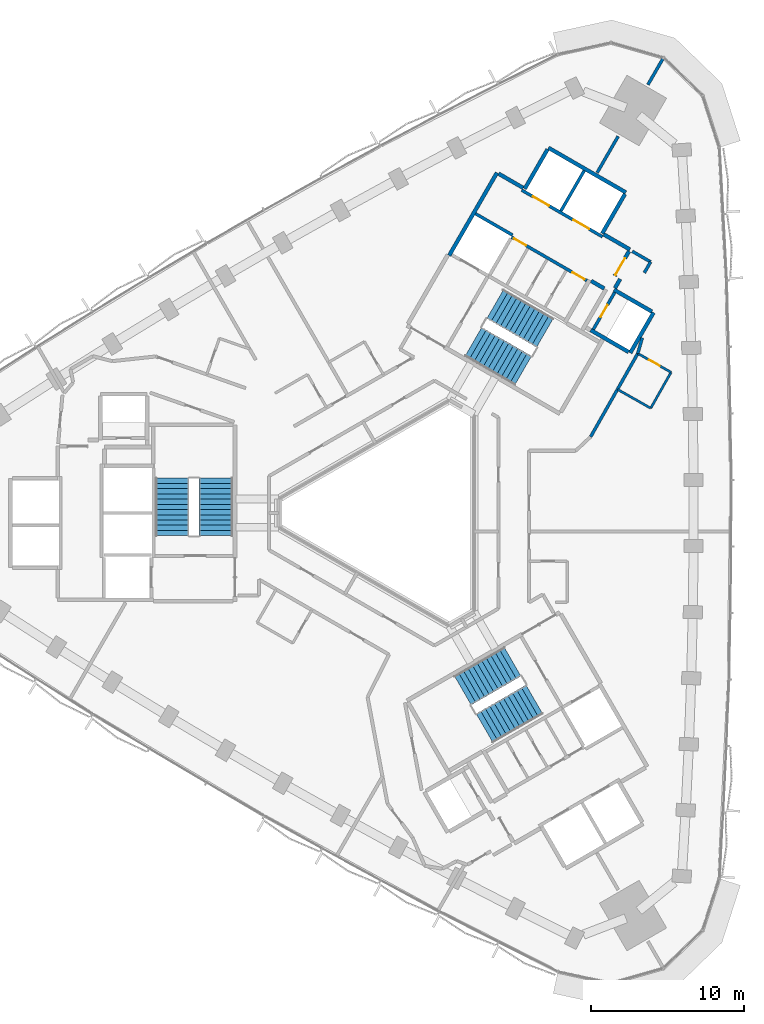
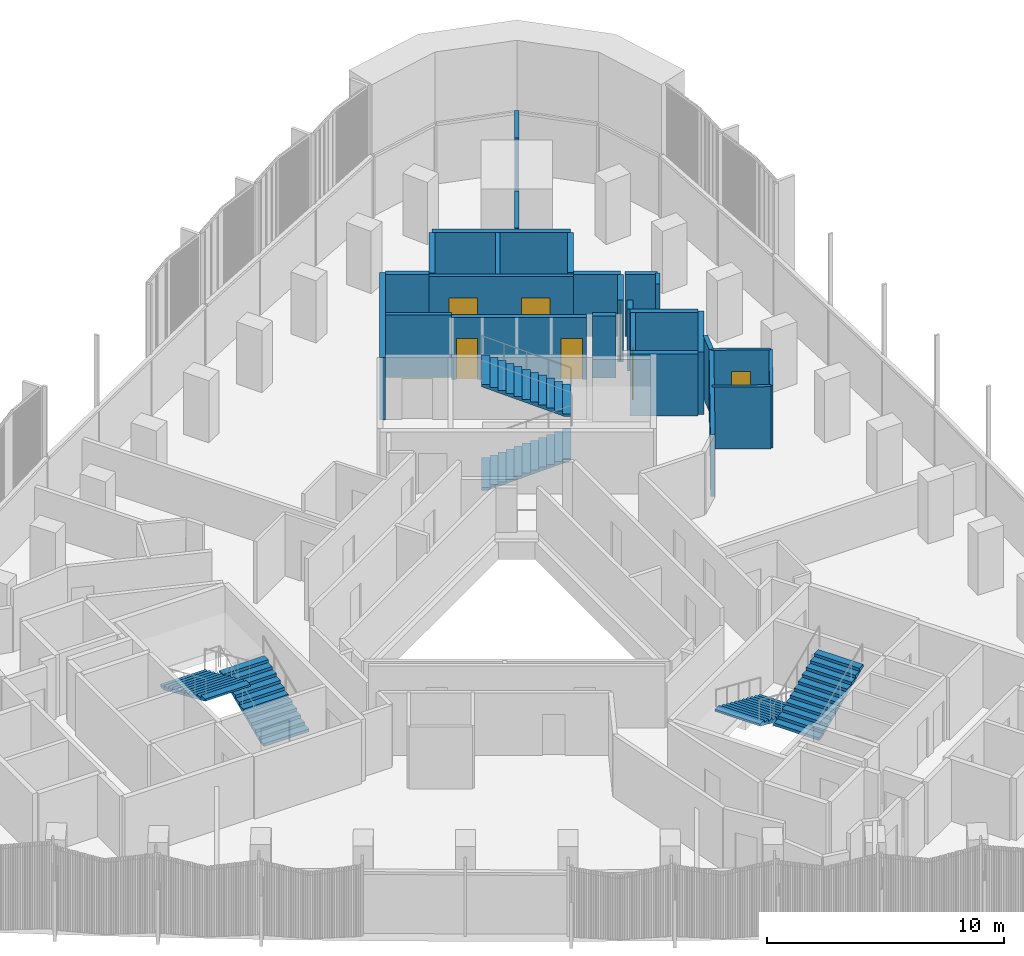
# One storey, part 11 of 14: 26 walls, 7 doors, 6 stair flights, 7 openings, 3 elements without a shape of their own.
"""IFC4 building model written with IfcOpenShell, lengths in metres."""

from ifc_helpers import new_model, si_unit, direction, frame, frame_2d, origin, place, context, subcontext, project, spatial, polyline, rectangle, outline, extrude, material, layer, layer_set, type_object, element, fill, aggregate, save


model = new_model("IFC4")

# Units and contexts
model_context = context("Model", 3, precision=1e-05, world=origin(), true_north=direction((0.0, 1.0)))
body_context = subcontext(model_context, "Body", "Model", "MODEL_VIEW")
ifc_project = project(units=[si_unit("LENGTHUNIT", "METRE"), si_unit("AREAUNIT", "SQUARE_METRE"), si_unit("VOLUMEUNIT", "CUBIC_METRE"), si_unit("PLANEANGLEUNIT", "RADIAN"), si_unit("MASSUNIT", "GRAM", prefix="KILO")], contexts=[model_context])

# Site, building, storey
site_placement = place(None, origin())
site = spatial("IfcSite", under=ifc_project, at=site_placement, CompositionType="ELEMENT")
building_placement = place(site_placement, origin())
building = spatial("IfcBuilding", under=site, at=building_placement, Name="Tamra Quay Hotel Tower", CompositionType="ELEMENT")
storey_placement = place(building_placement, frame((0.0, 0.0, 150.39990234375)))
storey = spatial("IfcBuildingStorey", under=building, at=storey_placement, Name="L37", CompositionType="ELEMENT", Elevation=150.39990234375)

# Wall, openings, doors
ifc_material_1 = material(Name="Concrete M70", Category="concrete")
ifc_layer_1 = layer(ifc_material_1, 0.199951171875)
ifc_layer_set_1 = layer_set([ifc_layer_1], Name="Concrete M70 core wall 200")
wall_type_1 = type_object("IfcWallType", Name="Concrete M70 core wall 200", PredefinedType="SHEAR", material=ifc_layer_set_1)
wall_1_placement = place(storey_placement, frame((13.209716796875, 18.07958984375, 0.0), z_axis=(0.0, 0.0, 1.0), x_axis=(-0.866030299012, 0.499991521122, 0.0)))
wall_1 = element("IfcWall", 1, at=wall_1_placement, inside=storey, type_object=wall_type_1, Name="CW2", PredefinedType="SHEAR", context=body_context, shape_type="SweptSolid", body=[
    extrude(rectangle(XDim=6.10009765625, YDim=0.199951171875, at=frame_2d((3.050048828125, 0.0))), origin(), (0.0, 0.0, 1.0), 3.2001953125),
])
opening_1_placement = place(wall_1_placement, frame((1.0, 0.0, 0.0)))
opening_1 = element("IfcOpeningElement", 2, at=opening_1_placement, cuts=wall_1, Name="Opening LD", PredefinedType="OPENING", context=body_context, shape_type="SweptSolid", body=[
    extrude(rectangle(XDim=1.199951171875, YDim=2.10009765625, at=frame_2d((0.60009765625, 1.050048828125))), frame((0.0, 0.10986328125, 0.0), z_axis=(0.0, -1.0, 0.0), x_axis=(1.0, 0.0, 0.0)), (0.0, 0.0, 1.0), 0.219970703125),
])
opening_2_placement = place(wall_1_placement, frame((4.05029296875, 0.0, 0.0)))
opening_2 = element("IfcOpeningElement", 3, at=opening_2_placement, cuts=wall_1, Name="Opening LD", PredefinedType="OPENING", context=body_context, shape_type="SweptSolid", body=[
    extrude(rectangle(XDim=1.199951171875, YDim=2.10009765625, at=frame_2d((0.60009765625, 1.050048828125))), frame((0.0, 0.10986328125, 0.0), z_axis=(0.0, -1.0, 0.0), x_axis=(1.0, 0.0, 0.0)), (0.0, 0.0, 1.0), 0.219970703125),
])
ifc_material_2 = material(Name="Landing door LD 1200 double door sliding")
door_type_1 = type_object("IfcDoorType", Name="Landing door LD 1200 double door sliding", OperationType="DOUBLE_DOOR_SLIDING", PredefinedType="DOOR", material=ifc_material_2)
door_1_placement = place(opening_1_placement, origin())
door_1 = element("IfcDoor", 4, at=door_1_placement, inside=storey, type_object=door_type_1, Name="LD", OperationType="DOUBLE_DOOR_SLIDING", OverallHeight=2.10009765625, OverallWidth=1.199951171875, PredefinedType="DOOR", context=body_context, shape_type="SweptSolid", body=[
    extrude(rectangle(XDim=1.199951171875, YDim=2.10009765625, at=frame_2d((0.60009765625, 1.050048828125))), frame((0.0, 0.02490234375, 0.0), z_axis=(0.0, -1.0, 0.0), x_axis=(1.0, 0.0, 0.0)), (0.0, 0.0, 1.0), 0.050048828125),
])
fill(opening_1, door_1)
door_2_placement = place(opening_2_placement, origin())
door_2 = element("IfcDoor", 5, at=door_2_placement, inside=storey, type_object=door_type_1, Name="LD", OperationType="DOUBLE_DOOR_SLIDING", OverallHeight=2.10009765625, OverallWidth=1.199951171875, PredefinedType="DOOR", context=body_context, shape_type="SweptSolid", body=[
    extrude(rectangle(XDim=1.199951171875, YDim=2.10009765625, at=frame_2d((0.60009765625, 1.050048828125))), frame((0.0, 0.02490234375, 0.0), z_axis=(0.0, -1.0, 0.0), x_axis=(1.0, 0.0, 0.0)), (0.0, 0.0, 1.0), 0.050048828125),
])
fill(opening_2, door_2)

wall_2_placement = place(storey_placement, frame((12.18505859375, 15.20703125, 0.0), z_axis=(0.0, 0.0, 1.0), x_axis=(-0.866020080793, 0.500009219579, 0.0)))
wall_2 = element("IfcWall", 6, at=wall_2_placement, inside=storey, type_object=wall_type_1, Name="CW2", PredefinedType="SHEAR", context=body_context, shape_type="SweptSolid", body=[
    extrude(rectangle(XDim=5.69921875, YDim=0.199951171875, at=frame_2d((2.849609375, 0.0))), origin(), (0.0, 0.0, 1.0), 3.2001953125),
])
opening_3_placement = place(wall_2_placement, frame((0.174072265625, 0.0, 0.0)))
opening_3 = element("IfcOpeningElement", 7, at=opening_3_placement, cuts=wall_2, Name="Opening D2", PredefinedType="OPENING", context=body_context, shape_type="SweptSolid", body=[
    extrude(rectangle(XDim=0.89990234375, YDim=2.10009765625, at=frame_2d((0.449951171875, 1.050048828125))), frame((0.0, 0.10986328125, 0.0), z_axis=(0.0, -1.0, 0.0), x_axis=(1.0, 0.0, 0.0)), (0.0, 0.0, 1.0), 0.219970703125),
])
opening_4_placement = place(wall_2_placement, frame((4.59912109375, 0.0, 0.0)))
opening_4 = element("IfcOpeningElement", 8, at=opening_4_placement, cuts=wall_2, Name="Opening D2", PredefinedType="OPENING", context=body_context, shape_type="SweptSolid", body=[
    extrude(rectangle(XDim=0.89990234375, YDim=2.10009765625, at=frame_2d((0.449951171875, 1.050048828125))), frame((0.0, 0.10986328125, 0.0), z_axis=(0.0, -1.0, 0.0), x_axis=(1.0, 0.0, 0.0)), (0.0, 0.0, 1.0), 0.219970703125),
])
ifc_material_3 = material(Name="Core door D2 900x2100 LH")
door_type_2 = type_object("IfcDoorType", Name="Core door D2 900x2100 LH", OperationType="NOTDEFINED", PredefinedType="DOOR", material=ifc_material_3)
door_3_placement = place(opening_4_placement, origin())
door_3 = element("IfcDoor", 9, at=door_3_placement, inside=storey, type_object=door_type_2, Name="D2", OperationType="SINGLE_SWING_LEFT", OverallHeight=2.10009765625, OverallWidth=0.89990234375, PredefinedType="DOOR", context=body_context, shape_type="SweptSolid", body=[
    extrude(rectangle(XDim=0.89990234375, YDim=2.10009765625, at=frame_2d((0.449951171875, 1.050048828125))), frame((0.0, 0.02490234375, 0.0), z_axis=(0.0, -1.0, 0.0), x_axis=(1.0, 0.0, 0.0)), (0.0, 0.0, 1.0), 0.050048828125),
])
fill(opening_4, door_3)
ifc_material_4 = material(Name="Core door D2 900x2100 RH")
door_type_3 = type_object("IfcDoorType", Name="Core door D2 900x2100 RH", OperationType="NOTDEFINED", PredefinedType="DOOR", material=ifc_material_4)
door_4_placement = place(opening_3_placement, origin())
door_4 = element("IfcDoor", 10, at=door_4_placement, inside=storey, type_object=door_type_3, Name="D2", OperationType="SINGLE_SWING_RIGHT", OverallHeight=2.10009765625, OverallWidth=0.89990234375, PredefinedType="DOOR", context=body_context, shape_type="SweptSolid", body=[
    extrude(rectangle(XDim=0.89990234375, YDim=2.10009765625, at=frame_2d((0.449951171875, 1.050048828125))), frame((0.0, 0.02490234375, 0.0), z_axis=(0.0, -1.0, 0.0), x_axis=(1.0, 0.0, 0.0)), (0.0, 0.0, 1.0), 0.050048828125),
])
fill(opening_3, door_4)

# Wall
wall_3_placement = place(storey_placement, frame((10.48876953125, 19.76708984375, 0.0), z_axis=(0.0, 0.0, 1.0), x_axis=(0.499946628782, 0.866056215479, 0.0)))
element("IfcWall", 11, at=wall_3_placement, inside=storey, type_object=wall_type_1, Name="CW2", PredefinedType="SHEAR", context=body_context, shape_type="SweptSolid", body=[
    extrude(rectangle(XDim=3.048095703125, YDim=0.199951171875, at=frame_2d((1.52392578125, 0.0))), origin(), (0.0, 0.0, 1.0), 3.2001953125),
])

# Wall, opening, door
wall_4_placement = place(storey_placement, frame((14.0078125, 14.442138671875, 0.0), z_axis=(0.0, 0.0, 1.0), x_axis=(-0.499986818241, -0.866033014143, 0.0)))
wall_4 = element("IfcWall", 12, at=wall_4_placement, inside=storey, type_object=wall_type_1, Name="CW2", PredefinedType="SHEAR", context=body_context, shape_type="SweptSolid", body=[
    extrude(rectangle(XDim=2.7978515625, YDim=0.199951171875, at=frame_2d((1.39892578125, 0.0))), origin(), (0.0, 0.0, 1.0), 3.2001953125),
])
opening_5_placement = place(wall_4_placement, frame((0.948974609375, 0.0, 0.0)))
opening_5 = element("IfcOpeningElement", 13, at=opening_5_placement, cuts=wall_4, Name="Opening D1", PredefinedType="OPENING", context=body_context, shape_type="SweptSolid", body=[
    extrude(rectangle(XDim=0.89990234375, YDim=2.10009765625, at=frame_2d((0.449951171875, 1.050048828125))), frame((0.0, 0.10986328125, 0.0), z_axis=(0.0, -1.0, 0.0), x_axis=(1.0, 0.0, 0.0)), (0.0, 0.0, 1.0), 0.219970703125),
])
ifc_material_5 = material(Name="Core door D1 900x2100 RH")
door_type_4 = type_object("IfcDoorType", Name="Core door D1 900x2100 RH", OperationType="NOTDEFINED", PredefinedType="DOOR", material=ifc_material_5)
door_5_placement = place(opening_5_placement, origin())
door_5 = element("IfcDoor", 14, at=door_5_placement, inside=storey, type_object=door_type_4, Name="D1", OperationType="SINGLE_SWING_RIGHT", OverallHeight=2.10009765625, OverallWidth=0.89990234375, PredefinedType="DOOR", context=body_context, shape_type="SweptSolid", body=[
    extrude(rectangle(XDim=0.89990234375, YDim=2.10009765625, at=frame_2d((0.449951171875, 1.050048828125))), frame((0.0, 0.02490234375, 0.0), z_axis=(0.0, -1.0, 0.0), x_axis=(1.0, 0.0, 0.0)), (0.0, 0.0, 1.0), 0.050048828125),
])
fill(opening_5, door_5)

# Walls
wall_5_placement = place(storey_placement, frame((4.900634765625, 19.5859375, 0.0), z_axis=(0.0, 0.0, 1.0), x_axis=(0.866022890907, -0.500004352405, 0.0)))
element("IfcWall", 15, at=wall_5_placement, inside=storey, type_object=wall_type_1, Name="CW2", PredefinedType="SHEAR", context=body_context, shape_type="SweptSolid", body=[
    extrude(rectangle(XDim=2.798828125, YDim=0.199951171875, at=frame_2d((1.3994140625, 0.0))), origin(), (0.0, 0.0, 1.0), 3.2001953125),
])
ifc_layer_2 = layer(ifc_material_1, 0.25)
ifc_layer_set_2 = layer_set([ifc_layer_2], Name="Concrete M70 core wall 250")
wall_type_2 = type_object("IfcWallType", Name="Concrete M70 core wall 250", PredefinedType="SHEAR", material=ifc_layer_set_2)
wall_6_placement = place(storey_placement, frame((3.178955078125, 16.856201171875, 0.0), z_axis=(0.0, 0.0, 1.0), x_axis=(0.500004234368, 0.866022959057, 0.0)))
element("IfcWall", 16, at=wall_6_placement, inside=storey, type_object=wall_type_2, Name="CW1", PredefinedType="SHEAR", context=body_context, shape_type="SweptSolid", body=[
    extrude(rectangle(XDim=6.25, YDim=0.25, at=frame_2d((3.125, 0.0))), origin(), (0.0, 0.0, 1.0), 3.2001953125),
])
wall_7_placement = place(storey_placement, frame((9.672607421875, 23.9033203125, 0.0), z_axis=(0.0, 0.0, 1.0), x_axis=(0.86603616409, -0.499981362141, 0.0)))
element("IfcWall", 17, at=wall_7_placement, inside=storey, type_object=wall_type_2, Name="CW1", PredefinedType="SHEAR", context=body_context, shape_type="SweptSolid", body=[
    extrude(rectangle(XDim=5.849853515625, YDim=0.25, at=frame_2d((2.9248046875, 0.0))), origin(), (0.0, 0.0, 1.0), 3.2001953125),
])
for number, where, z_axis, x_axis, name in (
    (18, (8.12255859375, 21.21875, 0.0), (0.0, 0.0, 1.0), (0.499987686533, 0.866032512851, 0.0), "CW1"),
    (19, (14.67626953125, 20.869873046875, 0.0), (0.0, 0.0, 1.0), (-0.499987686533, -0.866032512851, 0.0), "CW1"),
):
    element("IfcWall", number, at=place(storey_placement, frame(where, z_axis=z_axis, x_axis=x_axis)), inside=storey, type_object=wall_type_2, Name=name, PredefinedType="SHEAR", context=body_context, shape_type="SweptSolid", body=[
        extrude(rectangle(XDim=2.974609375, YDim=0.25, at=frame_2d((1.4873046875, 0.0))), origin(), (0.0, 0.0, 1.0), 3.2001953125),
    ])
wall_8_placement = place(storey_placement, frame((16.552001953125, 13.118896484375, 0.0), z_axis=(0.0, 0.0, 1.0), x_axis=(-0.499978833458, -0.866037623948, 0.0)))
element("IfcWall", 20, at=wall_8_placement, inside=storey, type_object=wall_type_2, Name="CW1", PredefinedType="SHEAR", context=body_context, shape_type="SweptSolid", body=[
    extrude(rectangle(XDim=3.050048828125, YDim=0.25, at=frame_2d((1.52490234375, 0.0))), origin(), (0.0, 0.0, 1.0), 3.2001953125),
])
wall_9_placement = place(storey_placement, frame((14.91845703125, 10.540283203125, 0.0), z_axis=(0.0, 0.0, 1.0), x_axis=(-0.866063538972, 0.499933942099, 0.0)))
element("IfcWall", 21, at=wall_9_placement, inside=storey, type_object=wall_type_2, Name="CW1", PredefinedType="SHEAR", context=body_context, shape_type="SweptSolid", body=[
    extrude(rectangle(XDim=2.86474609375, YDim=0.25, at=frame_2d((1.432373046875, 0.0))), origin(), (0.0, 0.0, 1.0), 3.2001953125),
])
wall_10_placement = place(storey_placement, frame((13.962646484375, 14.61376953125, 0.0), z_axis=(0.0, 0.0, 1.0), x_axis=(0.866042235819, -0.499970844928, 0.0)))
element("IfcWall", 22, at=wall_10_placement, inside=storey, type_object=wall_type_2, Name="CW1", PredefinedType="SHEAR", context=body_context, shape_type="SweptSolid", body=[
    extrude(rectangle(XDim=2.864501953125, YDim=0.25, at=frame_2d((1.43212890625, 0.0))), origin(), (0.0, 0.0, 1.0), 3.2001953125),
])
wall_11_placement = place(storey_placement, frame((13.29736328125, 18.23095703125, 0.0), z_axis=(0.0, 0.0, 1.0), x_axis=(0.866043531843, -0.499968599967, 0.0)))
element("IfcWall", 23, at=wall_11_placement, inside=storey, type_object=wall_type_2, Name="CW1", PredefinedType="SHEAR", context=body_context, shape_type="SweptSolid", body=[
    extrude(rectangle(XDim=1.974853515625, YDim=0.25, at=frame_2d((0.9873046875, 0.0))), origin(), (0.0, 0.0, 1.0), 3.2001953125),
])
wall_12_placement = place(storey_placement, frame((6.41259765625, 22.2060546875, 0.0), z_axis=(0.0, 0.0, 1.0), x_axis=(0.866016279763, -0.500015802937, 0.0)))
element("IfcWall", 24, at=wall_12_placement, inside=storey, type_object=wall_type_2, Name="CW1", PredefinedType="SHEAR", context=body_context, shape_type="SweptSolid", body=[
    extrude(rectangle(XDim=1.84912109375, YDim=0.25, at=frame_2d((0.924560546875, 0.0))), origin(), (0.0, 0.0, 1.0), 3.2001953125),
])

# Wall, opening, door
wall_13_placement = place(storey_placement, frame((14.94482421875, 17.13525390625, 0.0), z_axis=(0.0, 0.0, 1.0), x_axis=(-0.499983108224, -0.866035156036, 0.0)))
wall_13 = element("IfcWall", 25, at=wall_13_placement, inside=storey, type_object=wall_type_2, Name="CW1", PredefinedType="SHEAR", context=body_context, shape_type="SweptSolid", body=[
    extrude(rectangle(XDim=1.86474609375, YDim=0.25, at=frame_2d((0.932373046875, 0.0))), origin(), (0.0, 0.0, 1.0), 3.2001953125),
])
opening_6_placement = place(wall_13_placement, frame((0.53466796875, 0.0, 0.0)))
opening_6 = element("IfcOpeningElement", 26, at=opening_6_placement, cuts=wall_13, Name="Opening FD3", PredefinedType="OPENING", context=body_context, shape_type="SweptSolid", body=[
    extrude(rectangle(XDim=1.25, YDim=2.10009765625, at=frame_2d((0.625, 1.050048828125))), frame((0.0, 0.135009765625, 0.0), z_axis=(0.0, -1.0, 0.0), x_axis=(1.0, 0.0, 0.0)), (0.0, 0.0, 1.0), 0.27001953125),
])
ifc_material_6 = material(Name="Core door FD3 1250x2100 LH")
door_type_5 = type_object("IfcDoorType", Name="Core door FD3 1250x2100 LH", OperationType="NOTDEFINED", PredefinedType="DOOR", material=ifc_material_6)
door_6_placement = place(opening_6_placement, origin())
door_6 = element("IfcDoor", 27, at=door_6_placement, inside=storey, type_object=door_type_5, Name="FD3", OperationType="SINGLE_SWING_LEFT", OverallHeight=2.10009765625, OverallWidth=1.25, PredefinedType="DOOR", context=body_context, shape_type="SweptSolid", body=[
    extrude(rectangle(XDim=1.25, YDim=2.10009765625, at=frame_2d((0.625, 1.050048828125))), frame((0.0, 0.02490234375, 0.0), z_axis=(0.0, -1.0, 0.0), x_axis=(1.0, 0.0, 0.0)), (0.0, 0.0, 1.0), 0.050048828125),
])
fill(opening_6, door_6)

# Walls
wall_14_placement = place(storey_placement, frame((13.322021484375, 14.695068359375, 0.0), z_axis=(0.0, 0.0, 1.0), x_axis=(-0.866017078145, 0.500014420154, 0.0)))
element("IfcWall", 28, at=wall_14_placement, inside=storey, type_object=wall_type_2, Name="CW1", PredefinedType="SHEAR", context=body_context, shape_type="SweptSolid", body=[
    extrude(rectangle(XDim=0.9892578125, YDim=0.25, at=frame_2d((0.49462890625, 0.0))), origin(), (0.0, 0.0, 1.0), 3.2001953125),
])
wall_15_placement = place(storey_placement, frame((14.36767578125, 15.3154296875, 0.0), z_axis=(0.0, 0.0, 1.0), x_axis=(-0.499897359611, -0.866084655132, 0.0)))
element("IfcWall", 29, at=wall_15_placement, inside=storey, type_object=wall_type_2, Name="CW1", PredefinedType="SHEAR", context=body_context, shape_type="SweptSolid", body=[
    extrude(rectangle(XDim=0.684814453125, YDim=0.25, at=frame_2d((0.34228515625, 0.0))), origin(), (0.0, 0.0, 1.0), 3.2001953125),
])
ifc_material_7 = material(Name="Partition corridor wall")
ifc_layer_3 = layer(ifc_material_7, 0.199951171875)
ifc_layer_set_3 = layer_set([ifc_layer_3], Name="Partition corridor wall")
wall_type_3 = type_object("IfcWallType", Name="Partition corridor wall", PredefinedType="PARTITIONING", material=ifc_layer_set_3)
wall_16_placement = place(storey_placement, frame((12.43310546875, 4.991943359375, 0.0), z_axis=(0.0, 0.0, 1.0), x_axis=(0.492572049538, 0.870271667937, 0.0)))
element("IfcWall", 30, at=wall_16_placement, inside=storey, type_object=wall_type_3, Name="W-C", PredefinedType="PARTITIONING", context=body_context, shape_type="SweptSolid", body=[
    extrude(rectangle(XDim=6.265380859375, YDim=0.199951171875, at=frame_2d((3.1328125, 0.0))), origin(), (0.0, 0.0, 1.0), 3.2001953125),
])
wall_17_placement = place(storey_placement, frame((15.155517578125, 17.130126953125, 0.0), z_axis=(0.0, 0.0, 1.0), x_axis=(0.865755062894, -0.500467952093, 0.0)))
element("IfcWall", 31, at=wall_17_placement, inside=storey, type_object=wall_type_3, Name="W-C", PredefinedType="PARTITIONING", context=body_context, shape_type="SweptSolid", body=[
    extrude(rectangle(XDim=1.388916015625, YDim=0.199951171875, at=frame_2d((0.6943359375, 0.0))), origin(), (0.0, 0.0, 1.0), 3.2001953125),
])
wall_18_placement = place(storey_placement, frame((15.52001953125, 10.445068359375, 0.0), z_axis=(0.0, 0.0, 1.0), x_axis=(0.274143458758, 0.961688808306, 0.0)))
element("IfcWall", 32, at=wall_18_placement, inside=storey, type_object=wall_type_3, Name="W-C", PredefinedType="PARTITIONING", context=body_context, shape_type="SweptSolid", body=[
    extrude(rectangle(XDim=1.060546875, YDim=0.199951171875, at=frame_2d((0.5302734375, 0.0))), origin(), (0.0, 0.0, 1.0), 3.2001953125),
])
wall_19_placement = place(storey_placement, frame((15.947998046875, 15.72509765625, 0.0), z_axis=(0.0, 0.0, 1.0), x_axis=(0.500014611105, 0.866016967894, 0.0)))
element("IfcWall", 33, at=wall_19_placement, inside=storey, type_object=wall_type_3, Name="W-C", PredefinedType="PARTITIONING", context=body_context, shape_type="SweptSolid", body=[
    extrude(rectangle(XDim=0.81982421875, YDim=0.199951171875, at=frame_2d((0.409912109375, 0.0))), origin(), (0.0, 0.0, 1.0), 3.2001953125),
])
ifc_material_8 = material(Name="Partition en-suite wall")
ifc_layer_4 = layer(ifc_material_8, 0.14990234375)
ifc_layer_set_4 = layer_set([ifc_layer_4], Name="Partition en-suite wall")
wall_type_4 = type_object("IfcWallType", Name="Partition en-suite wall", PredefinedType="PARTITIONING", material=ifc_layer_set_4)
wall_20_placement = place(storey_placement, frame((14.18994140625, 8.093994140625, 0.0), z_axis=(0.0, 0.0, 1.0), x_axis=(0.870269507955, -0.492575865754, 0.0)))
element("IfcWall", 34, at=wall_20_placement, inside=storey, type_object=wall_type_4, Name="W-E", PredefinedType="PARTITIONING", context=body_context, shape_type="SweptSolid", body=[
    extrude(rectangle(XDim=2.4970703125, YDim=0.14990234375, at=frame_2d((1.24853515625, 0.0))), origin(), (0.0, 0.0, 1.0), 3.2001953125),
])

# Wall, opening, door
wall_21_placement = place(storey_placement, frame((15.52197265625, 10.44189453125, 0.0), z_axis=(0.0, 0.0, 1.0), x_axis=(0.870338423523, -0.492454087747, 0.0)))
wall_21 = element("IfcWall", 35, at=wall_21_placement, inside=storey, type_object=wall_type_4, Name="W-E", PredefinedType="PARTITIONING", context=body_context, shape_type="SweptSolid", body=[
    extrude(rectangle(XDim=2.4931640625, YDim=0.14990234375, at=frame_2d((1.24658203125, 0.0))), origin(), (0.0, 0.0, 1.0), 3.2001953125),
])
opening_7_placement = place(wall_21_placement, frame((0.847412109375, 0.0, 0.0)))
opening_7 = element("IfcOpeningElement", 36, at=opening_7_placement, cuts=wall_21, Name="Opening L37-D004", PredefinedType="OPENING", context=body_context, shape_type="SweptSolid", body=[
    extrude(rectangle(XDim=0.800048828125, YDim=2.10009765625, at=frame_2d((0.39990234375, 1.050048828125))), frame((0.0, 0.0849609375, 0.0), z_axis=(0.0, -1.0, 0.0), x_axis=(1.0, 0.0, 0.0)), (0.0, 0.0, 1.0), 0.169921875),
])
ifc_material_9 = material(Name="Door en-suite 800x2100")
door_type_6 = type_object("IfcDoorType", Name="Door en-suite 800x2100", OperationType="NOTDEFINED", PredefinedType="DOOR", material=ifc_material_9)
door_7_placement = place(opening_7_placement, origin())
door_7 = element("IfcDoor", 37, at=door_7_placement, inside=storey, type_object=door_type_6, Name="L37-D004", OperationType="SINGLE_SWING_LEFT", OverallHeight=2.10009765625, OverallWidth=0.800048828125, PredefinedType="DOOR", context=body_context, shape_type="SweptSolid", body=[
    extrude(rectangle(XDim=0.800048828125, YDim=2.10009765625, at=frame_2d((0.39990234375, 1.050048828125))), frame((0.0, 0.02490234375, 0.0), z_axis=(0.0, -1.0, 0.0), x_axis=(1.0, 0.0, 0.0)), (0.0, 0.0, 1.0), 0.050048828125),
])
fill(opening_7, door_7)

# Walls
wall_22_placement = place(storey_placement, frame((16.366943359375, 6.865966796875, 0.0), z_axis=(0.0, 0.0, 1.0), x_axis=(0.492699238561, 0.870199666928, 0.0)))
element("IfcWall", 38, at=wall_22_placement, inside=storey, type_object=wall_type_4, Name="W-E", PredefinedType="PARTITIONING", context=body_context, shape_type="SweptSolid", body=[
    extrude(rectangle(XDim=2.693603515625, YDim=0.14990234375, at=frame_2d((1.3466796875, 0.0))), origin(), (0.0, 0.0, 1.0), 3.2001953125),
])
ifc_material_10 = material(Name="Partition party wall")
ifc_layer_5 = layer(ifc_material_10, 0.199951171875)
ifc_layer_set_5 = layer_set([ifc_layer_5], Name="Partition party wall")
wall_type_5 = type_object("IfcWallType", Name="Partition party wall", PredefinedType="PARTITIONING", material=ifc_layer_set_5)
wall_23_placement = place(storey_placement, frame((12.861083984375, 22.276123046875, 0.0), z_axis=(0.0, 0.0, 1.0), x_axis=(0.49982784299, 0.866124775868, 0.0)))
element("IfcWall", 39, at=wall_23_placement, inside=storey, type_object=wall_type_5, Name="W-P", PredefinedType="PARTITIONING", context=body_context, shape_type="SweptSolid", body=[
    extrude(rectangle(XDim=2.74072265625, YDim=0.199951171875, at=frame_2d((1.370361328125, 0.0))), origin(), (0.0, 0.0, 1.0), 3.2001953125),
])
wall_24_placement = place(storey_placement, frame((16.1806640625, 28.02880859375, 0.0), z_axis=(0.0, 0.0, 1.0), x_axis=(0.499941024108, 0.866059450854, 0.0)))
element("IfcWall", 40, at=wall_24_placement, inside=storey, type_object=wall_type_5, Name="W-P", PredefinedType="PARTITIONING", context=body_context, shape_type="SweptSolid", body=[
    extrude(rectangle(XDim=2.030517578125, YDim=0.199951171875, at=frame_2d((1.01513671875, 0.0))), origin(), (0.0, 0.0, 1.0), 3.2001953125),
])

# Stair, stair flights
ifc_material_11 = material(Name="Exit stair 2200 24 risers 150.0 going 342")
stair_type = type_object("IfcStairType", Name="Exit stair 2200 24 risers 150.0 going 342", PredefinedType="HALF_TURN_STAIR", material=ifc_material_11)
stair_1_placement = place(storey_placement, origin())
stair_1 = element("IfcStair", 41, at=stair_1_placement, inside=storey, type_object=stair_type, Name="L37 Exit stair ST3", PredefinedType="HALF_TURN_STAIR")
ifc_material_12 = material(Name="Exit stair flight 2200 12 risers 150.0")
stair_flight_type = type_object("IfcStairFlightType", Name="Exit stair flight 2200 12 risers 150.0", PredefinedType="STRAIGHT", material=ifc_material_12)
stair_flight_1_placement = place(storey_placement, frame((-12.082275390625, -1.47998046875, 0.0), z_axis=(0.0, 0.0, 1.0), x_axis=(0.0, 1.0, 0.0)))
stair_flight_1 = element("IfcStairFlight", 42, at=stair_flight_1_placement, type_object=stair_flight_type, Name="ST3 flight 1", NumberOfRisers=12, NumberOfTreads=11, PredefinedType="STRAIGHT", RiserHeight=0.15, TreadLength=0.342, context=body_context, shape_type="SweptSolid", body=[
    extrude(outline(polyline([(0.0, 0.0), (0.0, 0.14990234375), (0.342041015625, 0.14990234375), (0.342041015625, 0.300048828125), (0.68408203125, 0.300048828125), (0.68408203125, 0.449951171875), (1.02587890625, 0.449951171875), (1.02587890625, 0.60009765625), (1.367919921875, 0.60009765625), (1.367919921875, 0.75), (1.7099609375, 0.75), (1.7099609375, 0.89990234375), (2.052001953125, 0.89990234375), (2.052001953125, 1.050048828125), (2.39404296875, 1.050048828125), (2.39404296875, 1.199951171875), (2.736083984375, 1.199951171875), (2.736083984375, 1.35009765625), (3.077880859375, 1.35009765625), (3.077880859375, 1.5), (3.419921875, 1.5), (3.419921875, 1.64990234375), (3.761962890625, 1.64990234375), (3.761962890625, 1.800048828125), (3.761962890625, 1.540771484375), (0.249267578125, 0.0), (0.0, 0.0)])), frame((0.0, 1.10009765625, 0.0), z_axis=(0.0, -1.0, 0.0), x_axis=(1.0, 0.0, 0.0)), (0.0, 0.0, 1.0), 2.199951171875),
])
stair_flight_2_placement = place(storey_placement, frame((-14.94140625, 2.281982421875, 1.800048828125), z_axis=(0.0, 0.0, 1.0), x_axis=(0.0, -1.0, 0.0)))
stair_flight_2 = element("IfcStairFlight", 43, at=stair_flight_2_placement, type_object=stair_flight_type, Name="ST3 flight 2", NumberOfRisers=12, NumberOfTreads=11, PredefinedType="STRAIGHT", RiserHeight=0.15, TreadLength=0.342, context=body_context, shape_type="SweptSolid", body=[
    extrude(outline(polyline([(0.0, 0.0), (0.0, 0.14990234375), (0.342041015625, 0.14990234375), (0.342041015625, 0.300048828125), (0.68408203125, 0.300048828125), (0.68408203125, 0.449951171875), (1.02587890625, 0.449951171875), (1.02587890625, 0.60009765625), (1.367919921875, 0.60009765625), (1.367919921875, 0.75), (1.7099609375, 0.75), (1.7099609375, 0.89990234375), (2.052001953125, 0.89990234375), (2.052001953125, 1.050048828125), (2.39404296875, 1.050048828125), (2.39404296875, 1.199951171875), (2.736083984375, 1.199951171875), (2.736083984375, 1.35009765625), (3.077880859375, 1.35009765625), (3.077880859375, 1.5), (3.419921875, 1.5), (3.419921875, 1.64990234375), (3.761962890625, 1.64990234375), (3.761962890625, 1.800048828125), (3.761962890625, 1.540771484375), (0.249267578125, 0.0), (0.0, 0.0)])), frame((0.0, 1.10009765625, 0.0), z_axis=(0.0, -1.0, 0.0), x_axis=(1.0, 0.0, 0.0)), (0.0, 0.0, 1.0), 2.199951171875),
])
aggregate(stair_1, [stair_flight_1, stair_flight_2])

stair_2_placement = place(storey_placement, origin())
stair_2 = element("IfcStair", 44, at=stair_2_placement, inside=storey, type_object=stair_type, Name="L37 Exit stair ST1", PredefinedType="HALF_TURN_STAIR")
stair_flight_3_placement = place(storey_placement, frame((4.75927734375, 11.20361328125, 0.0), z_axis=(0.0, 0.0, 1.0), x_axis=(0.866025403784, -0.5, 0.0)))
stair_flight_3 = element("IfcStairFlight", 45, at=stair_flight_3_placement, type_object=stair_flight_type, Name="ST1 flight 1", NumberOfRisers=12, NumberOfTreads=11, PredefinedType="STRAIGHT", RiserHeight=0.15, TreadLength=0.342, context=body_context, shape_type="SweptSolid", body=[
    extrude(outline(polyline([(0.0, 0.0), (0.0, 0.14990234375), (0.342041015625, 0.14990234375), (0.342041015625, 0.300048828125), (0.68408203125, 0.300048828125), (0.68408203125, 0.449951171875), (1.02587890625, 0.449951171875), (1.02587890625, 0.60009765625), (1.367919921875, 0.60009765625), (1.367919921875, 0.75), (1.7099609375, 0.75), (1.7099609375, 0.89990234375), (2.052001953125, 0.89990234375), (2.052001953125, 1.050048828125), (2.39404296875, 1.050048828125), (2.39404296875, 1.199951171875), (2.736083984375, 1.199951171875), (2.736083984375, 1.35009765625), (3.077880859375, 1.35009765625), (3.077880859375, 1.5), (3.419921875, 1.5), (3.419921875, 1.64990234375), (3.761962890625, 1.64990234375), (3.761962890625, 1.800048828125), (3.761962890625, 1.540771484375), (0.249267578125, 0.0), (0.0, 0.0)])), frame((0.0, 1.10009765625, 0.0), z_axis=(0.0, -1.0, 0.0), x_axis=(1.0, 0.0, 0.0)), (0.0, 0.0, 1.0), 2.199951171875),
])
stair_flight_4_placement = place(storey_placement, frame((9.44677734375, 11.798583984375, 1.800048828125), z_axis=(0.0, 0.0, 1.0), x_axis=(-0.866025403784, 0.5, 0.0)))
stair_flight_4 = element("IfcStairFlight", 46, at=stair_flight_4_placement, type_object=stair_flight_type, Name="ST1 flight 2", NumberOfRisers=12, NumberOfTreads=11, PredefinedType="STRAIGHT", RiserHeight=0.15, TreadLength=0.342, context=body_context, shape_type="SweptSolid", body=[
    extrude(outline(polyline([(0.0, 0.0), (0.0, 0.14990234375), (0.342041015625, 0.14990234375), (0.342041015625, 0.300048828125), (0.68408203125, 0.300048828125), (0.68408203125, 0.449951171875), (1.02587890625, 0.449951171875), (1.02587890625, 0.60009765625), (1.367919921875, 0.60009765625), (1.367919921875, 0.75), (1.7099609375, 0.75), (1.7099609375, 0.89990234375), (2.052001953125, 0.89990234375), (2.052001953125, 1.050048828125), (2.39404296875, 1.050048828125), (2.39404296875, 1.199951171875), (2.736083984375, 1.199951171875), (2.736083984375, 1.35009765625), (3.077880859375, 1.35009765625), (3.077880859375, 1.5), (3.419921875, 1.5), (3.419921875, 1.64990234375), (3.761962890625, 1.64990234375), (3.761962890625, 1.800048828125), (3.761962890625, 1.540771484375), (0.249267578125, 0.0), (0.0, 0.0)])), frame((0.0, 1.10009765625, 0.0), z_axis=(0.0, -1.0, 0.0), x_axis=(1.0, 0.0, 0.0)), (0.0, 0.0, 1.0), 2.199951171875),
])
aggregate(stair_2, [stair_flight_3, stair_flight_4])

stair_3_placement = place(storey_placement, origin())
stair_3 = element("IfcStair", 47, at=stair_3_placement, inside=storey, type_object=stair_type, Name="L37 Exit stair ST2", PredefinedType="HALF_TURN_STAIR")
stair_flight_5_placement = place(storey_placement, frame((7.322998046875, -9.7236328125, 0.0), z_axis=(0.0, 0.0, 1.0), x_axis=(-0.866025403784, -0.5, 0.0)))
stair_flight_5 = element("IfcStairFlight", 48, at=stair_flight_5_placement, type_object=stair_flight_type, Name="ST2 flight 1", NumberOfRisers=12, NumberOfTreads=11, PredefinedType="STRAIGHT", RiserHeight=0.15, TreadLength=0.342, context=body_context, shape_type="SweptSolid", body=[
    extrude(outline(polyline([(0.0, 0.0), (0.0, 0.14990234375), (0.342041015625, 0.14990234375), (0.342041015625, 0.300048828125), (0.68408203125, 0.300048828125), (0.68408203125, 0.449951171875), (1.02587890625, 0.449951171875), (1.02587890625, 0.60009765625), (1.367919921875, 0.60009765625), (1.367919921875, 0.75), (1.7099609375, 0.75), (1.7099609375, 0.89990234375), (2.052001953125, 0.89990234375), (2.052001953125, 1.050048828125), (2.39404296875, 1.050048828125), (2.39404296875, 1.199951171875), (2.736083984375, 1.199951171875), (2.736083984375, 1.35009765625), (3.077880859375, 1.35009765625), (3.077880859375, 1.5), (3.419921875, 1.5), (3.419921875, 1.64990234375), (3.761962890625, 1.64990234375), (3.761962890625, 1.800048828125), (3.761962890625, 1.540771484375), (0.249267578125, 0.0), (0.0, 0.0)])), frame((0.0, 1.10009765625, 0.0), z_axis=(0.0, -1.0, 0.0), x_axis=(1.0, 0.0, 0.0)), (0.0, 0.0, 1.0), 2.199951171875),
])
stair_flight_6_placement = place(storey_placement, frame((5.494384765625, -14.08056640625, 1.800048828125), z_axis=(0.0, 0.0, 1.0), x_axis=(0.866025403784, 0.5, 0.0)))
stair_flight_6 = element("IfcStairFlight", 49, at=stair_flight_6_placement, type_object=stair_flight_type, Name="ST2 flight 2", NumberOfRisers=12, NumberOfTreads=11, PredefinedType="STRAIGHT", RiserHeight=0.15, TreadLength=0.342, context=body_context, shape_type="SweptSolid", body=[
    extrude(outline(polyline([(0.0, 0.0), (0.0, 0.14990234375), (0.342041015625, 0.14990234375), (0.342041015625, 0.300048828125), (0.68408203125, 0.300048828125), (0.68408203125, 0.449951171875), (1.02587890625, 0.449951171875), (1.02587890625, 0.60009765625), (1.367919921875, 0.60009765625), (1.367919921875, 0.75), (1.7099609375, 0.75), (1.7099609375, 0.89990234375), (2.052001953125, 0.89990234375), (2.052001953125, 1.050048828125), (2.39404296875, 1.050048828125), (2.39404296875, 1.199951171875), (2.736083984375, 1.199951171875), (2.736083984375, 1.35009765625), (3.077880859375, 1.35009765625), (3.077880859375, 1.5), (3.419921875, 1.5), (3.419921875, 1.64990234375), (3.761962890625, 1.64990234375), (3.761962890625, 1.800048828125), (3.761962890625, 1.540771484375), (0.249267578125, 0.0), (0.0, 0.0)])), frame((0.0, 1.10009765625, 0.0), z_axis=(0.0, -1.0, 0.0), x_axis=(1.0, 0.0, 0.0)), (0.0, 0.0, 1.0), 2.199951171875),
])
aggregate(stair_3, [stair_flight_5, stair_flight_6])

save(model, "model.ifc")
